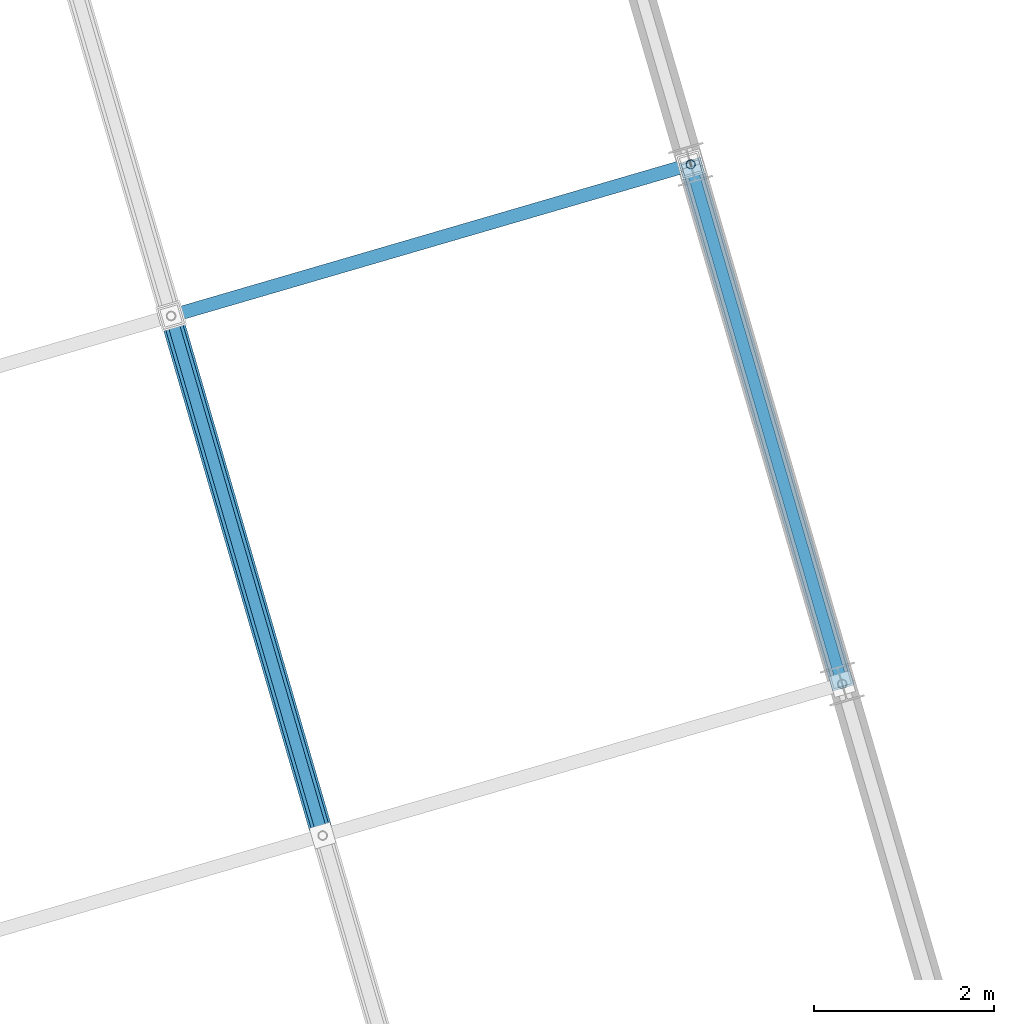
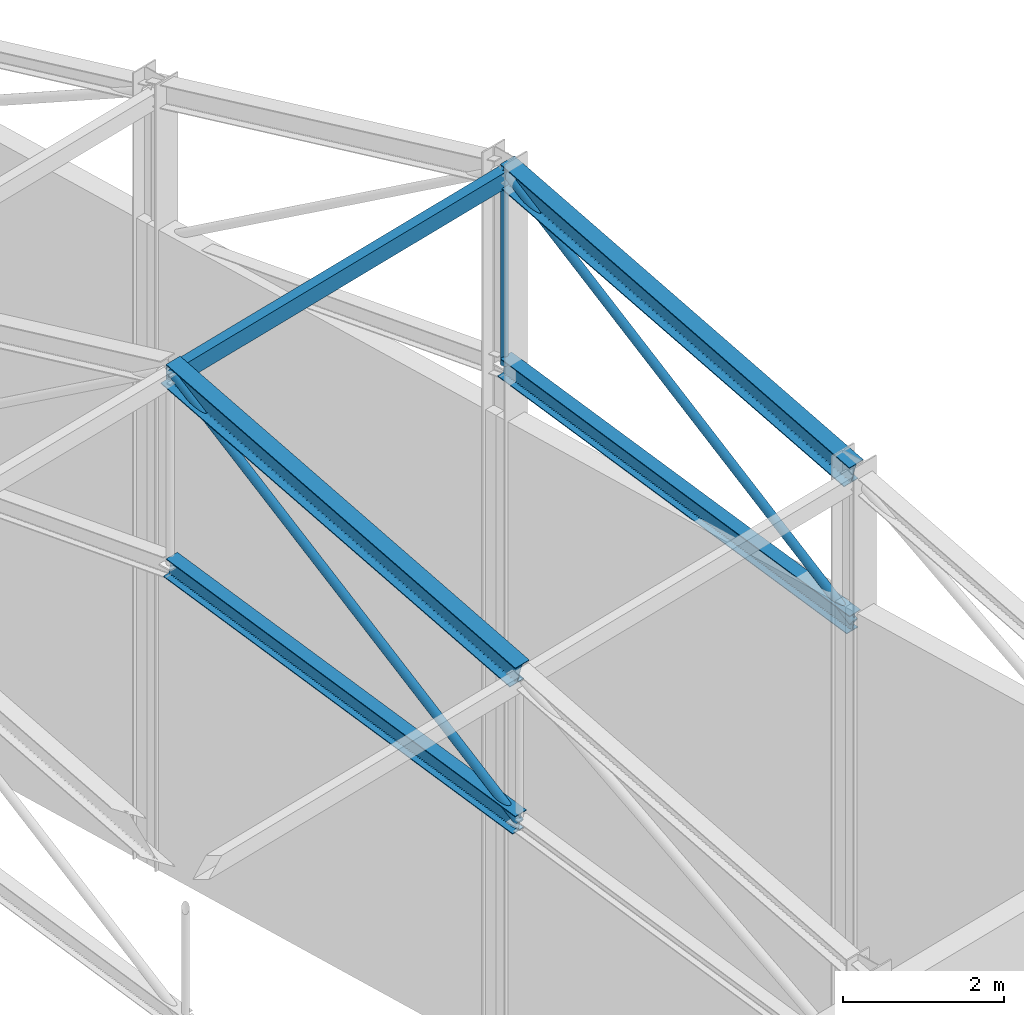
# One storey, part 182 of 248: 8 members.
"""IFC4 building model written with IfcOpenShell, lengths in metres."""

import ifcopenshell
import ifcopenshell.guid

model = None  # the IFC model being written
_history = None  # IfcOwnerHistory: only IFC2X3 demands one
_inside = {}  # id of a spatial element -> (the spatial element, [elements in it])
_under = {}  # id of a project, library or spatial element -> (it, [spatial elements below it])
_declared = {}  # id of a project -> (the project, [libraries it declares])
_typed = {}  # id of a type object -> (the type object, [elements of that type])
_made_of = {}  # id of a material, layer set ... -> (it, [elements and type objects made of it])


def new_model(schema):
    """Start an empty IFC model of exactly this schema.

    Asked for "IFC4X3", IfcOpenShell would pick the latest addendum, in which some entities
    have other attributes; the version numbers below select the first issue.
    IFC2X3 requires an IfcOwnerHistory on every rooted entity: one is made here for all.
    """
    global model, _history
    if schema == "IFC4X3":
        model = ifcopenshell.file(schema_version=(4, 3, 0, 0))
    else:
        model = ifcopenshell.file(schema=schema)
    _inside.clear()
    _under.clear()
    _declared.clear()
    _typed.clear()
    _made_of.clear()
    _history = None
    if model.schema == "IFC2X3":
        org = make("IfcOrganization", Name="unknown")
        user = make(
            "IfcPersonAndOrganization",
            ThePerson=make("IfcPerson", FamilyName="unknown"),
            TheOrganization=org,
        )
        app = make(
            "IfcApplication",
            ApplicationDeveloper=org,
            Version="unknown",
            ApplicationFullName="unknown",
            ApplicationIdentifier="unknown",
        )
        _history = make(
            "IfcOwnerHistory",
            OwningUser=user,
            OwningApplication=app,
            ChangeAction="ADDED",
            CreationDate=0,
        )
    return model


def make(cls, **values):
    """One entity of the class cls with the attributes given. An attribute that is None is left unset."""
    return model.create_entity(
        cls, **{name: value for name, value in values.items() if value is not None}
    )


def rooted(cls, **values):
    """An entity with a GlobalId (a new one), such as an element, a storey or a relation."""
    return make(cls, GlobalId=ifcopenshell.guid.new(), OwnerHistory=_history, **values)


def si_unit(unit_type, name, prefix=None):
    """IfcSIUnit, for example si_unit("LENGTHUNIT", "METRE", prefix="MILLI")."""
    return make("IfcSIUnit", UnitType=unit_type, Prefix=prefix, Name=name)


def assignment(units):
    """IfcUnitAssignment: the units of a project."""
    return None if units is None else make("IfcUnitAssignment", Units=units)


def point(xyz):
    """IfcCartesianPoint."""
    return None if xyz is None else make("IfcCartesianPoint", Coordinates=xyz)


def direction(xyz):
    """IfcDirection."""
    return None if xyz is None else make("IfcDirection", DirectionRatios=xyz)


def frame(location, z_axis=None, x_axis=None):
    """IfcAxis2Placement3D, a coordinate frame: its origin and axes. An axis left out is left unset."""
    return make(
        "IfcAxis2Placement3D",
        Location=point(location),
        Axis=direction(z_axis),
        RefDirection=direction(x_axis),
    )


def frame_2d(location, x_axis=None):
    """IfcAxis2Placement2D, a coordinate frame in the plane: its origin and x axis."""
    return make(
        "IfcAxis2Placement2D", Location=point(location), RefDirection=direction(x_axis)
    )


def origin():
    """The frame at (0, 0, 0) with its axes left unset."""
    return frame((0.0, 0.0, 0.0))


def origin_2d():
    """The frame at (0, 0) in the plane with its x axis left unset."""
    return frame_2d((0.0, 0.0))


def place(relative_to, where):
    """IfcLocalPlacement: puts the frame where relative to a parent placement (None: the world)."""
    return make(
        "IfcLocalPlacement", PlacementRelTo=relative_to, RelativePlacement=where
    )


def context(
    kind, dimensions, precision=None, world=None, true_north=None, identifier=None
):
    """IfcGeometricRepresentationContext, for example the 3D "Model" context."""
    return make(
        "IfcGeometricRepresentationContext",
        ContextIdentifier=identifier,
        ContextType=kind,
        CoordinateSpaceDimension=dimensions,
        Precision=precision,
        WorldCoordinateSystem=world,
        TrueNorth=true_north,
    )


def subcontext(parent, identifier, kind, view, scale=None):
    """IfcGeometricRepresentationSubContext, for example "Body" below "Model"."""
    return make(
        "IfcGeometricRepresentationSubContext",
        ContextIdentifier=identifier,
        ContextType=kind,
        ParentContext=parent,
        TargetScale=scale,
        TargetView=view,
    )


def project(units=None, contexts=None):
    """IfcProject with its units and contexts."""
    return rooted(
        "IfcProject",
        Name="project",
        RepresentationContexts=contexts,
        UnitsInContext=assignment(units),
    )


def spatial(cls, under=None, at=None, **own):
    """A site, building, storey or space (cls), placed at a placement, below another one or the project."""
    s = rooted(cls, ObjectPlacement=at, **own)
    if under is not None:
        _under.setdefault(under.id(), (under, []))[1].append(s)
    return s


def profile(cls, at=None, kind="AREA", **sizes):
    """A parametric profile (cls). Its sizes go by their IFC names, for example OverallWidth=200.0."""
    return make(cls, ProfileType=kind, Position=at, **sizes)


def hollow_rectangle(**sizes):
    """IfcRectangleHollowProfileDef."""
    return profile("IfcRectangleHollowProfileDef", **sizes)


def hollow_circle(**sizes):
    """IfcCircleHollowProfileDef."""
    return profile("IfcCircleHollowProfileDef", **sizes)


def i_section(**sizes):
    """IfcIShapeProfileDef."""
    return profile("IfcIShapeProfileDef", **sizes)


def extrude(swept, where, along, depth):
    """IfcExtrudedAreaSolid: the profile swept, set in the frame where, extruded along a direction by depth."""
    return make(
        "IfcExtrudedAreaSolid",
        SweptArea=swept,
        Position=where,
        ExtrudedDirection=direction(along),
        Depth=depth,
    )


def shape(context_of_items, identifier, shape_type, items):
    """IfcShapeRepresentation: the items that make up one representation, for example the "Body"."""
    return make(
        "IfcShapeRepresentation",
        ContextOfItems=context_of_items,
        RepresentationIdentifier=identifier,
        RepresentationType=shape_type,
        Items=items,
    )


def material(Name=None, Category=None):
    """IfcMaterial."""
    return make("IfcMaterial", Name=Name, Category=Category)


def material_profile(
    of_material, cross_section, Name=None, Category=None, Priority=None
):
    """IfcMaterialProfile: a cross section and its material."""
    return make(
        "IfcMaterialProfile",
        Name=Name,
        Material=of_material,
        Profile=cross_section,
        Priority=Priority,
        Category=Category,
    )


def profile_set(profiles, Name=None, composite=None):
    """IfcMaterialProfileSet."""
    return make(
        "IfcMaterialProfileSet",
        Name=Name,
        MaterialProfiles=profiles,
        CompositeProfile=composite,
    )


def made_of(thing, what):
    """Note that an element or type object is made of a material, layer set ...; save() writes the relation."""
    if what is not None:
        _made_of.setdefault(what.id(), (what, []))[1].append(thing)
    return thing


def type_object(cls, material=None, **own):
    """A type object (cls), such as IfcWallType, which elements share."""
    return made_of(rooted(cls, **own), material)


def element(
    cls,
    number,
    at=None,
    inside=None,
    cuts=None,
    type_object=None,
    material=None,
    context=None,
    identifier="Body",
    shape_type=None,
    held_by="IfcProductDefinitionShape",
    body=None,
    shapes=None,
    **own,
):
    """One element of the class cls, such as IfcWall. Its Tag is "e" and its number.

    at: its placement. inside: the storey or other place that contains it. cuts: it is an
    opening in that element (IfcRelVoidsElement). A single representation is given by context,
    identifier, shape_type and body (its items); several are given by shapes. held_by: the class
    of the entity that holds the representations. save() writes the other relations.
    """
    e = rooted(cls, Tag="e%d" % number, ObjectPlacement=at, **own)
    if body is not None:
        shapes = [shape(context, identifier, shape_type, body)]
    if shapes is not None:
        e.Representation = make(held_by, Representations=shapes)
    if inside is not None:
        _inside.setdefault(inside.id(), (inside, []))[1].append(e)
    if cuts is not None:
        rooted(
            "IfcRelVoidsElement", RelatingBuildingElement=cuts, RelatedOpeningElement=e
        )
    if type_object is not None:
        _typed.setdefault(type_object.id(), (type_object, []))[1].append(e)
    return made_of(e, material)


def aggregate(whole, parts):
    """IfcRelAggregates: a whole, such as a stair, and the parts it consists of."""
    return rooted("IfcRelAggregates", RelatingObject=whole, RelatedObjects=parts)


def save(model, path):
    """Write the relations noted so far, then the file.

    IfcRelAggregates (storeys below a building ...), IfcRelContainedInSpatialStructure (elements
    in a storey), IfcRelDefinesByType, IfcRelAssociatesMaterial and IfcRelDeclares: one each for
    every whole, place, type object, material and project.
    """
    for whole, parts in _under.values():
        aggregate(whole, parts)
    for where, things in _inside.values():
        rooted(
            "IfcRelContainedInSpatialStructure",
            RelatedElements=things,
            RelatingStructure=where,
        )
    for kind, things in _typed.values():
        rooted("IfcRelDefinesByType", RelatedObjects=things, RelatingType=kind)
    for what, things in _made_of.values():
        rooted("IfcRelAssociatesMaterial", RelatedObjects=things, RelatingMaterial=what)
    for by, libraries in _declared.values():
        rooted("IfcRelDeclares", RelatingContext=by, RelatedDefinitions=libraries)
    model.write(path)


model = new_model("IFC4")

# Units and contexts
model_context = context("Model", 3, precision=1e-05, world=origin(), true_north=direction((0.0, 1.0)))
body_context = subcontext(model_context, "Body", "Model", "MODEL_VIEW")
ifc_project = project(units=[si_unit("LENGTHUNIT", "METRE"), si_unit("AREAUNIT", "SQUARE_METRE"), si_unit("VOLUMEUNIT", "CUBIC_METRE"), si_unit("PLANEANGLEUNIT", "RADIAN"), si_unit("MASSUNIT", "GRAM", prefix="KILO")], contexts=[model_context])

# Site, building, storey
site_placement = place(None, origin())
site = spatial("IfcSite", under=ifc_project, at=site_placement, CompositionType="ELEMENT")
building_placement = place(site_placement, origin())
building = spatial("IfcBuilding", under=site, at=building_placement, Name="Canggui Botanical Conservatory", CompositionType="ELEMENT")
storey_placement = place(building_placement, frame((0.0, 0.0, 5.39990234375)))
storey = spatial("IfcBuildingStorey", under=building, at=storey_placement, Name="L02", CompositionType="ELEMENT", Elevation=5.39990234375)

# Members
ifc_material = material(Name="Steel Q355B", Category="steel")
ifc_material_profile_1 = material_profile(ifc_material, hollow_rectangle(XDim=0.14990234375, YDim=0.25, WallThickness=0.008056640625, at=origin_2d()), Name="RHS 150x250x8")
ifc_profile_set_1 = profile_set([ifc_material_profile_1], Name="Steel Q355B")
member_type_1 = type_object("IfcMemberType", Name="MEM-PUR01", PredefinedType="PURLIN", material=ifc_profile_set_1)
member_1_placement = place(storey_placement, frame((91.43994140625, 109.919921875, 13.25), z_axis=(0.959992252312, 0.280026562133, 0.0), x_axis=(-0.280026562133, 0.959992252312, 0.0)))
element("IfcMember", 1, at=member_1_placement, inside=storey, type_object=member_type_1, Name="Auditorium Roof Purlin 6-2", PredefinedType="PURLIN", context=body_context, shape_type="SweptSolid", body=[
    extrude(hollow_rectangle(XDim=0.14990234375, YDim=0.25, WallThickness=0.008056640625, at=origin_2d()), origin(), (0.0, 0.0, 1.0), 6.0),
])
ifc_material_profile_2 = material_profile(ifc_material, i_section(OverallWidth=0.25, OverallDepth=0.35009765625, WebThickness=0.009033203125, FlangeThickness=0.013916015625, FilletRadius=0.02001953125, at=origin_2d()), Name="HM 350x250x9x14")
ifc_profile_set_2 = profile_set([ifc_material_profile_2], Name="Steel Q355B")
member_type_2 = type_object("IfcMemberType", Name="MEM-TC03", PredefinedType="CHORD", material=ifc_profile_set_2)
member_2_placement = place(storey_placement, frame((93.1201171875, 104.159912109375, 11.650146484375), z_axis=(-0.269421810075, 0.923636844681, 0.27259286015), x_axis=(-0.959992252312, -0.280026562133, 0.0)))
element("IfcMember", 2, at=member_2_placement, inside=storey, type_object=member_type_2, Name="Auditorium Truss AT-06 Top Chord 2", PredefinedType="CHORD", context=body_context, shape_type="SweptSolid", body=[
    extrude(i_section(OverallWidth=0.25, OverallDepth=0.35009765625, WebThickness=0.009033203125, FlangeThickness=0.013916015625, FilletRadius=0.02001953125, at=origin_2d()), origin(), (0.0, 0.0, 1.0), 6.236328125),
])
member_3_placement = place(storey_placement, frame((98.8798828125, 105.840087890625, 11.650146484375), z_axis=(-0.269385502469, 0.923646586216, 0.272595735168), x_axis=(-0.960003190047, -0.279989062464, 0.0)))
element("IfcMember", 3, at=member_3_placement, inside=storey, type_object=member_type_2, Name="Auditorium Truss AT-07 Top Chord 2", PredefinedType="CHORD", context=body_context, shape_type="SweptSolid", body=[
    extrude(i_section(OverallWidth=0.25, OverallDepth=0.35009765625, WebThickness=0.009033203125, FlangeThickness=0.013916015625, FilletRadius=0.02001953125, at=origin_2d()), origin(), (0.0, 0.0, 1.0), 6.236083984375),
])
ifc_material_profile_3 = material_profile(ifc_material, i_section(OverallWidth=0.199951171875, OverallDepth=0.300048828125, WebThickness=0.008056640625, FlangeThickness=0.011962890625, FilletRadius=0.01806640625, at=origin_2d()), Name="HM 300x200x8x12")
ifc_profile_set_3 = profile_set([ifc_material_profile_3], Name="Steel Q355B")
member_type_3 = type_object("IfcMemberType", Name="MEM-TC04", PredefinedType="CHORD", material=ifc_profile_set_3)
for number, where, z_axis, x_axis, name in (
    (4, (93.1201171875, 104.159912109375, 9.400146484375), (-0.276216572305, 0.946930774542, 0.164397425191), (-0.959992252312, -0.280026562133, 0.0), "Auditorium Truss AT-06 Bottom Chord 2"),
    (5, (98.8798828125, 105.840087890625, 9.400146484375), (-0.276179497805, 0.946941271868, 0.16439924764), (-0.960003190047, -0.279989062464, 0.0), "Auditorium Truss AT-07 Bottom Chord 2"),
):
    element("IfcMember", number, at=place(storey_placement, frame(where, z_axis=z_axis, x_axis=x_axis)), inside=storey, type_object=member_type_3, Name=name, PredefinedType="CHORD", context=body_context, shape_type="SweptSolid", body=[
        extrude(i_section(OverallWidth=0.199951171875, OverallDepth=0.300048828125, WebThickness=0.008056640625, FlangeThickness=0.011962890625, FilletRadius=0.01806640625, at=origin_2d()), origin(), (0.0, 0.0, 1.0), 6.082763671875),
    ])
ifc_material_profile_4 = material_profile(ifc_material, hollow_circle(Radius=0.0634765625, WallThickness=0.006103515625, at=origin_2d()), Name="CHS 127x6")
ifc_profile_set_4 = profile_set([ifc_material_profile_4], Name="Steel Q355B")
member_type_4 = type_object("IfcMemberType", Name="MEM-TW02", PredefinedType="BRACE", material=ifc_profile_set_4)
member_4_placement = place(storey_placement, frame((93.1201171875, 104.159912109375, 9.400146484375), z_axis=(-0.233893424927, 0.80183777598, 0.549863662), x_axis=(-0.959992252312, -0.280026562133, 0.0)))
element("IfcMember", 6, at=member_4_placement, inside=storey, type_object=member_type_4, Name="Auditorium Truss AT-06 Web Diagonal 2", PredefinedType="BRACE", context=body_context, shape_type="SweptSolid", body=[
    extrude(hollow_circle(Radius=0.0634765625, WallThickness=0.006103515625, at=origin_2d()), origin(), (0.0, 0.0, 1.0), 7.18359375),
])
member_5_placement = place(storey_placement, frame((98.8798828125, 105.840087890625, 9.400146484375), z_axis=(-0.233861297543, 0.801844149531, 0.54986803269), x_axis=(-0.960003190047, -0.279989062464, 0.0)))
element("IfcMember", 7, at=member_5_placement, inside=storey, type_object=member_type_4, Name="Auditorium Truss AT-07 Web Diagonal 2", PredefinedType="BRACE", context=body_context, shape_type="SweptSolid", body=[
    extrude(hollow_circle(Radius=0.0634765625, WallThickness=0.006103515625, at=origin_2d()), origin(), (0.0, 0.0, 1.0), 7.183349609375),
])
ifc_material_profile_5 = material_profile(ifc_material, hollow_circle(Radius=0.051025390625, WallThickness=0.0048828125, at=origin_2d()), Name="CHS 102x5")
ifc_profile_set_5 = profile_set([ifc_material_profile_5], Name="Steel Q355B")
member_type_5 = type_object("IfcMemberType", Name="MEM-TW04", PredefinedType="BRACE", material=ifc_profile_set_5)
member_6_placement = place(storey_placement, frame((97.199951171875, 111.60009765625, 10.400146484375), z_axis=(0.0, 0.0, 1.0), x_axis=(1.0, 0.0, 0.0)))
element("IfcMember", 8, at=member_6_placement, inside=storey, type_object=member_type_5, Name="Auditorium Truss AT-07 Vertical Post 3", PredefinedType="BRACE", context=body_context, shape_type="SweptSolid", body=[
    extrude(hollow_circle(Radius=0.051025390625, WallThickness=0.0048828125, at=origin_2d()), origin(), (0.0, 0.0, 1.0), 2.949951171875),
])

save(model, "model.ifc")
